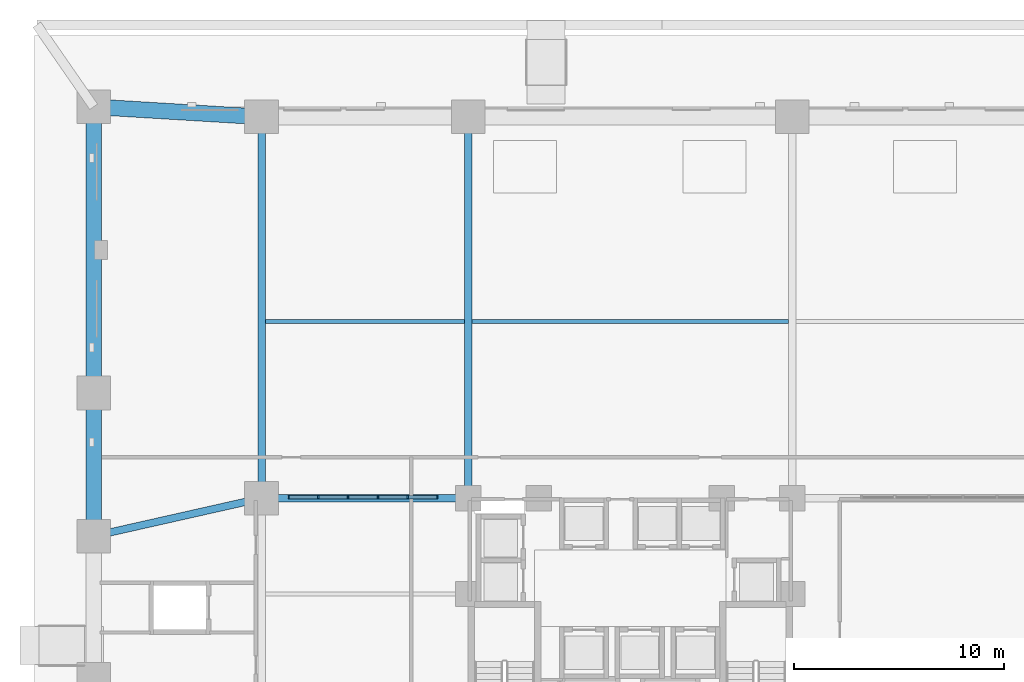
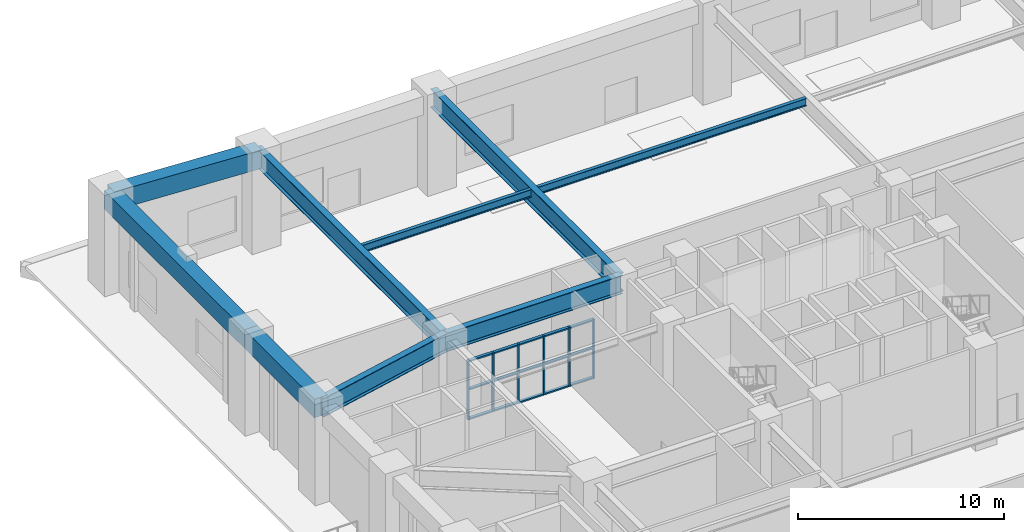
# One storey, part 9 of 24: 21 members, 9 beams, 1 element without a shape of its own.
"""IFC4 building model written with IfcOpenShell, lengths in metres."""

from ifc_helpers import new_model, si_unit, derived_unit, direction, frame, origin, origin_2d, place, context, subcontext, project, spatial, rectangle, i_section, extrude, material, material_profile, profile_set, type_object, element, aggregate, save


model = new_model("IFC4")

# Units and contexts
model_context = context("Model", 3, precision=1e-05, world=origin(), true_north=direction((0.0, 1.0)))
body_context = subcontext(model_context, "Body", "Model", "MODEL_VIEW")
ifc_project = project(units=[si_unit("LENGTHUNIT", "METRE"), si_unit("AREAUNIT", "SQUARE_METRE"), si_unit("VOLUMEUNIT", "CUBIC_METRE"), si_unit("PLANEANGLEUNIT", "RADIAN"), si_unit("MASSUNIT", "GRAM", prefix="KILO"), derived_unit("THERMALTRANSMITTANCEUNIT", [(si_unit("MASSUNIT", "GRAM", prefix="KILO"), 1), (si_unit("TIMEUNIT", "SECOND"), -3), (si_unit("THERMODYNAMICTEMPERATUREUNIT", "KELVIN"), -1)])], contexts=[model_context])

# Site, building, storey
site_placement = place(None, origin())
site = spatial("IfcSite", under=ifc_project, at=site_placement, CompositionType="ELEMENT")
building_placement = place(site_placement, origin())
building = spatial("IfcBuilding", under=site, at=building_placement, Name="Korrvale Station Residences", CompositionType="ELEMENT")
storey_placement = place(building_placement, origin())
storey = spatial("IfcBuildingStorey", under=building, at=storey_placement, Name="L00", CompositionType="ELEMENT", Elevation=0.0)

# Beams
ifc_material_1 = material(Name="Steel S355", Category="steel")
ifc_material_profile_1 = material_profile(ifc_material_1, i_section(OverallWidth=0.35009765625, OverallDepth=1.10009765625, WebThickness=0.01611328125, FlangeThickness=0.034912109375, FilletRadius=0.01806640625, at=origin_2d()), Name="WWF1100x351")
ifc_profile_set_1 = profile_set([ifc_material_profile_1], Name="Steel S355")
beam_type_1 = type_object("IfcBeamType", Name="BM-BM-WWF1100x351-S355", PredefinedType="BEAM", material=ifc_profile_set_1)
beam_1_placement = place(storey_placement, frame((7.97998046875, 29.0, 5.1298828125), z_axis=(0.0, 1.0, 0.0), x_axis=(-1.0, 0.0, 0.0)))
element("IfcBeam", 1, at=beam_1_placement, inside=storey, type_object=beam_type_1, Name="L00 Station Primary Girder 03", PredefinedType="BEAM", context=body_context, shape_type="SweptSolid", body=[
    extrude(i_section(OverallWidth=0.35009765625, OverallDepth=1.10009765625, WebThickness=0.01611328125, FlangeThickness=0.034912109375, FilletRadius=0.01806640625, at=origin_2d()), origin(), (0.0, 0.0, 1.0), 18.1201171875),
])
beam_2_placement = place(storey_placement, frame((7.97998046875, 29.0, 5.1298828125), z_axis=(1.0, 0.0, 0.0), x_axis=(0.0, 1.0, 0.0)))
element("IfcBeam", 2, at=beam_2_placement, inside=storey, type_object=beam_type_1, Name="L00 Station Primary Girder 08", PredefinedType="BEAM", context=body_context, shape_type="SweptSolid", body=[
    extrude(i_section(OverallWidth=0.35009765625, OverallDepth=1.10009765625, WebThickness=0.01611328125, FlangeThickness=0.034912109375, FilletRadius=0.01806640625, at=origin_2d()), origin(), (0.0, 0.0, 1.0), 9.820068359375),
])
beam_3_placement = place(storey_placement, frame((17.800048828125, 29.0, 5.1298828125), z_axis=(0.0, 1.0, 0.0), x_axis=(-1.0, 0.0, 0.0)))
element("IfcBeam", 3, at=beam_3_placement, inside=storey, type_object=beam_type_1, Name="L00 Station Primary Girder 09", PredefinedType="BEAM", context=body_context, shape_type="SweptSolid", body=[
    extrude(i_section(OverallWidth=0.35009765625, OverallDepth=1.10009765625, WebThickness=0.01611328125, FlangeThickness=0.034912109375, FilletRadius=0.01806640625, at=origin_2d()), origin(), (0.0, 0.0, 1.0), 18.1201171875),
])
beam_4_placement = place(storey_placement, frame((0.0, 27.199951171875, 5.1298828125), z_axis=(0.975490412643, 0.220041938824, 0.0), x_axis=(-0.220041938824, 0.975490412643, 0.0)))
element("IfcBeam", 4, at=beam_4_placement, inside=storey, type_object=beam_type_1, Name="L00 Station Primary Girder 12", PredefinedType="BEAM", context=body_context, shape_type="SweptSolid", body=[
    extrude(i_section(OverallWidth=0.35009765625, OverallDepth=1.10009765625, WebThickness=0.01611328125, FlangeThickness=0.034912109375, FilletRadius=0.01806640625, at=origin_2d()), origin(), (0.0, 0.0, 1.0), 8.180419921875),
])
ifc_material_profile_2 = material_profile(ifc_material_1, i_section(OverallWidth=0.18994140625, OverallDepth=0.45703125, WebThickness=0.009033203125, FlangeThickness=0.014404296875, FilletRadius=0.01611328125, at=origin_2d()), Name="W460x74")
ifc_profile_set_2 = profile_set([ifc_material_profile_2], Name="Steel S355")
beam_type_2 = type_object("IfcBeamType", Name="BM-JST-W460x74-S355", PredefinedType="JOIST", material=ifc_profile_set_2)
beam_5_placement = place(storey_placement, frame((8.155029296875, 37.39990234375, 5.451416015625), z_axis=(1.0, 0.0, 0.0), x_axis=(0.0, 1.0, 0.0)))
element("IfcBeam", 5, at=beam_5_placement, inside=storey, type_object=beam_type_2, Name="L00 Station Floor Joist 01", PredefinedType="JOIST", context=body_context, shape_type="SweptSolid", body=[
    extrude(i_section(OverallWidth=0.18994140625, OverallDepth=0.45703125, WebThickness=0.009033203125, FlangeThickness=0.014404296875, FilletRadius=0.01611328125, at=origin_2d()), origin(), (0.0, 0.0, 1.0), 9.469970703125),
])
beam_6_placement = place(storey_placement, frame((17.97509765625, 37.39990234375, 5.451416015625), z_axis=(1.0, 0.0, 0.0), x_axis=(0.0, 1.0, 0.0)))
element("IfcBeam", 6, at=beam_6_placement, inside=storey, type_object=beam_type_2, Name="L00 Station Floor Joist 02", PredefinedType="JOIST", context=body_context, shape_type="SweptSolid", body=[
    extrude(i_section(OverallWidth=0.18994140625, OverallDepth=0.45703125, WebThickness=0.009033203125, FlangeThickness=0.014404296875, FilletRadius=0.01611328125, at=origin_2d()), origin(), (0.0, 0.0, 1.0), 15.0498046875),
])
ifc_material_2 = material(Name="Concrete C70/85", Category="concrete")
ifc_material_profile_3 = material_profile(ifc_material_2, rectangle(XDim=0.75, YDim=1.10009765625, at=origin_2d()), Name="RCB750x1100")
ifc_profile_set_3 = profile_set([ifc_material_profile_3], Name="Concrete C70/85")
beam_type_3 = type_object("IfcBeamType", Name="BM-SPB-RCB750x1100-C7085", PredefinedType="SPANDREL", material=ifc_profile_set_3)
beam_7_placement = place(storey_placement, frame((0.0, 27.199951171875, 5.1298828125), z_axis=(0.0, 1.0, 0.0), x_axis=(-1.0, 0.0, 0.0)))
element("IfcBeam", 7, at=beam_7_placement, inside=storey, type_object=beam_type_3, Name="L00 Station Spandrel Beam 04", PredefinedType="SPANDREL", context=body_context, shape_type="SweptSolid", body=[
    extrude(rectangle(XDim=0.75, YDim=1.10009765625, at=origin_2d()), origin(), (0.0, 0.0, 1.0), 6.800048828125),
])
beam_8_placement = place(storey_placement, frame((0.0, 34.0, 5.1298828125), z_axis=(0.0, 1.0, 0.0), x_axis=(-1.0, 0.0, 0.0)))
element("IfcBeam", 8, at=beam_8_placement, inside=storey, type_object=beam_type_3, Name="L00 Station Spandrel Beam 05", PredefinedType="SPANDREL", context=body_context, shape_type="SweptSolid", body=[
    extrude(rectangle(XDim=0.75, YDim=1.10009765625, at=origin_2d()), origin(), (0.0, 0.0, 1.0), 13.60009765625),
])
beam_9_placement = place(storey_placement, frame((0.0, 47.60009765625, 5.1298828125), z_axis=(0.998195997903, -0.060039568374, 0.0), x_axis=(0.060039568374, 0.998195997903, 0.0)))
element("IfcBeam", 9, at=beam_9_placement, inside=storey, type_object=beam_type_3, Name="L00 Station Spandrel Beam 16", PredefinedType="SPANDREL", context=body_context, shape_type="SweptSolid", body=[
    extrude(rectangle(XDim=0.75, YDim=1.10009765625, at=origin_2d()), origin(), (0.0, 0.0, 1.0), 7.994384765625),
])

# Curtain wall, members
ifc_material_3 = material(Name="Unitised thermally broken aluminium curtain wall with triple low-e IGU", Category="aluminium")
curtain_wall_type = type_object("IfcCurtainWallType", Name="CW-STN-CON", PredefinedType="NOTDEFINED", material=ifc_material_3)
curtain_wall_placement = place(storey_placement, origin())
curtain_wall = element("IfcCurtainWall", 10, at=curtain_wall_placement, inside=storey, type_object=curtain_wall_type, Name="L00 Curtain Wall CW2-RUN-1", PredefinedType="NOTDEFINED")
ifc_material_4 = material(Name="Extruded thermally broken aluminium mullion", Category="aluminium")
member_type_1 = type_object("IfcMemberType", Name="CW-STN-CON-M", PredefinedType="MULLION", material=ifc_material_4)
member_1_placement = place(storey_placement, frame((9.2900390625, 29.050048828125, 0.0), z_axis=(0.0, 0.0, 1.0), x_axis=(1.0, 0.0, 0.0)))
member_1 = element("IfcMember", 11, at=member_1_placement, type_object=member_type_1, Name="CW-STN-CON Mullion 1", PredefinedType="MULLION", context=body_context, shape_type="SweptSolid", body=[
    extrude(rectangle(XDim=0.080078125, YDim=0.169921875, at=origin_2d()), origin(), (0.0, 0.0, 1.0), 3.5),
])
member_2_placement = place(storey_placement, frame((10.669921875, 29.050048828125, 0.0), z_axis=(0.0, 0.0, 1.0), x_axis=(1.0, 0.0, 0.0)))
member_2 = element("IfcMember", 12, at=member_2_placement, type_object=member_type_1, Name="CW-STN-CON Mullion 2", PredefinedType="MULLION", context=body_context, shape_type="SweptSolid", body=[
    extrude(rectangle(XDim=0.080078125, YDim=0.169921875, at=origin_2d()), origin(), (0.0, 0.0, 1.0), 3.5),
])
member_3_placement = place(storey_placement, frame((12.090087890625, 29.050048828125, 0.0), z_axis=(0.0, 0.0, 1.0), x_axis=(1.0, 0.0, 0.0)))
member_3 = element("IfcMember", 13, at=member_3_placement, type_object=member_type_1, Name="CW-STN-CON Mullion 3", PredefinedType="MULLION", context=body_context, shape_type="SweptSolid", body=[
    extrude(rectangle(XDim=0.080078125, YDim=0.169921875, at=origin_2d()), origin(), (0.0, 0.0, 1.0), 3.5),
])
member_4_placement = place(storey_placement, frame((13.510009765625, 29.050048828125, 0.0), z_axis=(0.0, 0.0, 1.0), x_axis=(1.0, 0.0, 0.0)))
member_4 = element("IfcMember", 14, at=member_4_placement, type_object=member_type_1, Name="CW-STN-CON Mullion 4", PredefinedType="MULLION", context=body_context, shape_type="SweptSolid", body=[
    extrude(rectangle(XDim=0.080078125, YDim=0.169921875, at=origin_2d()), origin(), (0.0, 0.0, 1.0), 3.5),
])
member_5_placement = place(storey_placement, frame((14.929931640625, 29.050048828125, 0.0), z_axis=(0.0, 0.0, 1.0), x_axis=(1.0, 0.0, 0.0)))
member_5 = element("IfcMember", 15, at=member_5_placement, type_object=member_type_1, Name="CW-STN-CON Mullion 5", PredefinedType="MULLION", context=body_context, shape_type="SweptSolid", body=[
    extrude(rectangle(XDim=0.080078125, YDim=0.169921875, at=origin_2d()), origin(), (0.0, 0.0, 1.0), 3.5),
])
member_6_placement = place(storey_placement, frame((16.31005859375, 29.050048828125, 0.0), z_axis=(0.0, 0.0, 1.0), x_axis=(1.0, 0.0, 0.0)))
member_6 = element("IfcMember", 16, at=member_6_placement, type_object=member_type_1, Name="CW-STN-CON Mullion 6", PredefinedType="MULLION", context=body_context, shape_type="SweptSolid", body=[
    extrude(rectangle(XDim=0.080078125, YDim=0.169921875, at=origin_2d()), origin(), (0.0, 0.0, 1.0), 3.5),
])
ifc_material_5 = material(Name="Extruded thermally broken aluminium transom", Category="aluminium")
member_type_2 = type_object("IfcMemberType", Name="CW-STN-CON-T", PredefinedType="USERDEFINED", material=ifc_material_5)
member_7_placement = place(storey_placement, frame((9.9599609375, 29.050048828125, 0.0), z_axis=(0.0, 0.0, 1.0), x_axis=(1.0, 0.0, 0.0)))
member_7 = element("IfcMember", 17, at=member_7_placement, type_object=member_type_2, Name="CW-STN-CON Transom 1-1", ObjectType="TRANSOM", PredefinedType="USERDEFINED", context=body_context, shape_type="SweptSolid", body=[
    extrude(rectangle(XDim=1.340087890625, YDim=0.169921875, at=origin_2d()), origin(), (0.0, 0.0, 1.0), 0.080078125),
])
member_8_placement = place(storey_placement, frame((9.9599609375, 29.050048828125, 1.760009765625), z_axis=(0.0, 0.0, 1.0), x_axis=(1.0, 0.0, 0.0)))
member_8 = element("IfcMember", 18, at=member_8_placement, type_object=member_type_2, Name="CW-STN-CON Transom 1-2", ObjectType="TRANSOM", PredefinedType="USERDEFINED", context=body_context, shape_type="SweptSolid", body=[
    extrude(rectangle(XDim=1.340087890625, YDim=0.169921875, at=origin_2d()), origin(), (0.0, 0.0, 1.0), 0.080078125),
])
member_9_placement = place(storey_placement, frame((9.9599609375, 29.050048828125, 3.419921875), z_axis=(0.0, 0.0, 1.0), x_axis=(1.0, 0.0, 0.0)))
member_9 = element("IfcMember", 19, at=member_9_placement, type_object=member_type_2, Name="CW-STN-CON Transom 1-3", ObjectType="TRANSOM", PredefinedType="USERDEFINED", context=body_context, shape_type="SweptSolid", body=[
    extrude(rectangle(XDim=1.340087890625, YDim=0.169921875, at=origin_2d()), origin(), (0.0, 0.0, 1.0), 0.080078125),
])
member_10_placement = place(storey_placement, frame((11.3798828125, 29.050048828125, 0.0), z_axis=(0.0, 0.0, 1.0), x_axis=(1.0, 0.0, 0.0)))
member_10 = element("IfcMember", 20, at=member_10_placement, type_object=member_type_2, Name="CW-STN-CON Transom 2-1", ObjectType="TRANSOM", PredefinedType="USERDEFINED", context=body_context, shape_type="SweptSolid", body=[
    extrude(rectangle(XDim=1.340087890625, YDim=0.169921875, at=origin_2d()), origin(), (0.0, 0.0, 1.0), 0.080078125),
])
member_11_placement = place(storey_placement, frame((11.3798828125, 29.050048828125, 1.760009765625), z_axis=(0.0, 0.0, 1.0), x_axis=(1.0, 0.0, 0.0)))
member_11 = element("IfcMember", 21, at=member_11_placement, type_object=member_type_2, Name="CW-STN-CON Transom 2-2", ObjectType="TRANSOM", PredefinedType="USERDEFINED", context=body_context, shape_type="SweptSolid", body=[
    extrude(rectangle(XDim=1.340087890625, YDim=0.169921875, at=origin_2d()), origin(), (0.0, 0.0, 1.0), 0.080078125),
])
member_12_placement = place(storey_placement, frame((11.3798828125, 29.050048828125, 3.419921875), z_axis=(0.0, 0.0, 1.0), x_axis=(1.0, 0.0, 0.0)))
member_12 = element("IfcMember", 22, at=member_12_placement, type_object=member_type_2, Name="CW-STN-CON Transom 2-3", ObjectType="TRANSOM", PredefinedType="USERDEFINED", context=body_context, shape_type="SweptSolid", body=[
    extrude(rectangle(XDim=1.340087890625, YDim=0.169921875, at=origin_2d()), origin(), (0.0, 0.0, 1.0), 0.080078125),
])
member_13_placement = place(storey_placement, frame((12.800048828125, 29.050048828125, 0.0), z_axis=(0.0, 0.0, 1.0), x_axis=(1.0, 0.0, 0.0)))
member_13 = element("IfcMember", 23, at=member_13_placement, type_object=member_type_2, Name="CW-STN-CON Transom 3-1", ObjectType="TRANSOM", PredefinedType="USERDEFINED", context=body_context, shape_type="SweptSolid", body=[
    extrude(rectangle(XDim=1.340087890625, YDim=0.169921875, at=origin_2d()), origin(), (0.0, 0.0, 1.0), 0.080078125),
])
member_14_placement = place(storey_placement, frame((12.800048828125, 29.050048828125, 1.760009765625), z_axis=(0.0, 0.0, 1.0), x_axis=(1.0, 0.0, 0.0)))
member_14 = element("IfcMember", 24, at=member_14_placement, type_object=member_type_2, Name="CW-STN-CON Transom 3-2", ObjectType="TRANSOM", PredefinedType="USERDEFINED", context=body_context, shape_type="SweptSolid", body=[
    extrude(rectangle(XDim=1.340087890625, YDim=0.169921875, at=origin_2d()), origin(), (0.0, 0.0, 1.0), 0.080078125),
])
member_15_placement = place(storey_placement, frame((12.800048828125, 29.050048828125, 3.419921875), z_axis=(0.0, 0.0, 1.0), x_axis=(1.0, 0.0, 0.0)))
member_15 = element("IfcMember", 25, at=member_15_placement, type_object=member_type_2, Name="CW-STN-CON Transom 3-3", ObjectType="TRANSOM", PredefinedType="USERDEFINED", context=body_context, shape_type="SweptSolid", body=[
    extrude(rectangle(XDim=1.340087890625, YDim=0.169921875, at=origin_2d()), origin(), (0.0, 0.0, 1.0), 0.080078125),
])
member_16_placement = place(storey_placement, frame((14.219970703125, 29.050048828125, 0.0), z_axis=(0.0, 0.0, 1.0), x_axis=(1.0, 0.0, 0.0)))
member_16 = element("IfcMember", 26, at=member_16_placement, type_object=member_type_2, Name="CW-STN-CON Transom 4-1", ObjectType="TRANSOM", PredefinedType="USERDEFINED", context=body_context, shape_type="SweptSolid", body=[
    extrude(rectangle(XDim=1.340087890625, YDim=0.169921875, at=origin_2d()), origin(), (0.0, 0.0, 1.0), 0.080078125),
])
member_17_placement = place(storey_placement, frame((14.219970703125, 29.050048828125, 1.760009765625), z_axis=(0.0, 0.0, 1.0), x_axis=(1.0, 0.0, 0.0)))
member_17 = element("IfcMember", 27, at=member_17_placement, type_object=member_type_2, Name="CW-STN-CON Transom 4-2", ObjectType="TRANSOM", PredefinedType="USERDEFINED", context=body_context, shape_type="SweptSolid", body=[
    extrude(rectangle(XDim=1.340087890625, YDim=0.169921875, at=origin_2d()), origin(), (0.0, 0.0, 1.0), 0.080078125),
])
member_18_placement = place(storey_placement, frame((14.219970703125, 29.050048828125, 3.419921875), z_axis=(0.0, 0.0, 1.0), x_axis=(1.0, 0.0, 0.0)))
member_18 = element("IfcMember", 28, at=member_18_placement, type_object=member_type_2, Name="CW-STN-CON Transom 4-3", ObjectType="TRANSOM", PredefinedType="USERDEFINED", context=body_context, shape_type="SweptSolid", body=[
    extrude(rectangle(XDim=1.340087890625, YDim=0.169921875, at=origin_2d()), origin(), (0.0, 0.0, 1.0), 0.080078125),
])
member_19_placement = place(storey_placement, frame((15.639892578125, 29.050048828125, 0.0), z_axis=(0.0, 0.0, 1.0), x_axis=(1.0, 0.0, 0.0)))
member_19 = element("IfcMember", 29, at=member_19_placement, type_object=member_type_2, Name="CW-STN-CON Transom 5-1", ObjectType="TRANSOM", PredefinedType="USERDEFINED", context=body_context, shape_type="SweptSolid", body=[
    extrude(rectangle(XDim=1.340087890625, YDim=0.169921875, at=origin_2d()), origin(), (0.0, 0.0, 1.0), 0.080078125),
])
member_20_placement = place(storey_placement, frame((15.639892578125, 29.050048828125, 1.760009765625), z_axis=(0.0, 0.0, 1.0), x_axis=(1.0, 0.0, 0.0)))
member_20 = element("IfcMember", 30, at=member_20_placement, type_object=member_type_2, Name="CW-STN-CON Transom 5-2", ObjectType="TRANSOM", PredefinedType="USERDEFINED", context=body_context, shape_type="SweptSolid", body=[
    extrude(rectangle(XDim=1.340087890625, YDim=0.169921875, at=origin_2d()), origin(), (0.0, 0.0, 1.0), 0.080078125),
])
member_21_placement = place(storey_placement, frame((15.639892578125, 29.050048828125, 3.419921875), z_axis=(0.0, 0.0, 1.0), x_axis=(1.0, 0.0, 0.0)))
member_21 = element("IfcMember", 31, at=member_21_placement, type_object=member_type_2, Name="CW-STN-CON Transom 5-3", ObjectType="TRANSOM", PredefinedType="USERDEFINED", context=body_context, shape_type="SweptSolid", body=[
    extrude(rectangle(XDim=1.340087890625, YDim=0.169921875, at=origin_2d()), origin(), (0.0, 0.0, 1.0), 0.080078125),
])
aggregate(curtain_wall, [member_1, member_2, member_3, member_4, member_5, member_6, member_7, member_8, member_9, member_10, member_11, member_12, member_13, member_14, member_15, member_16, member_17, member_18, member_19, member_20, member_21])

save(model, "model.ifc")
